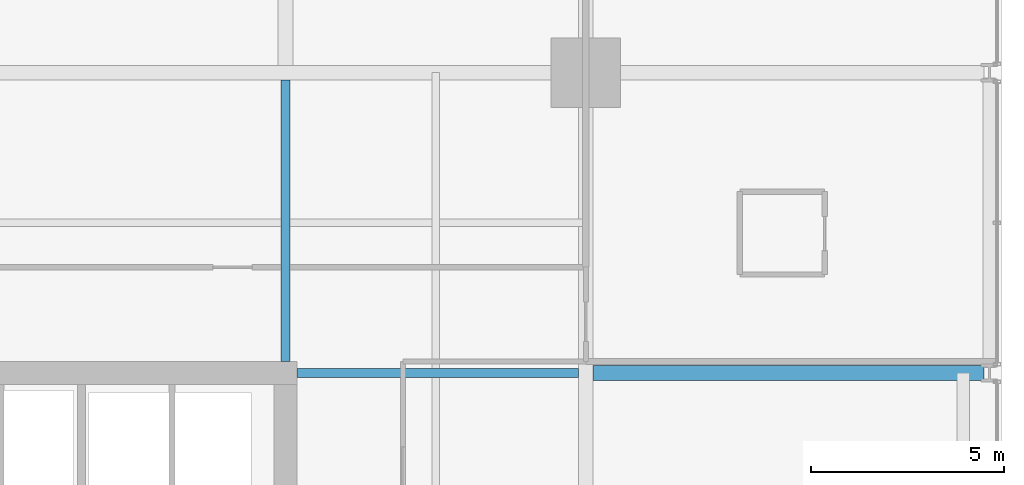
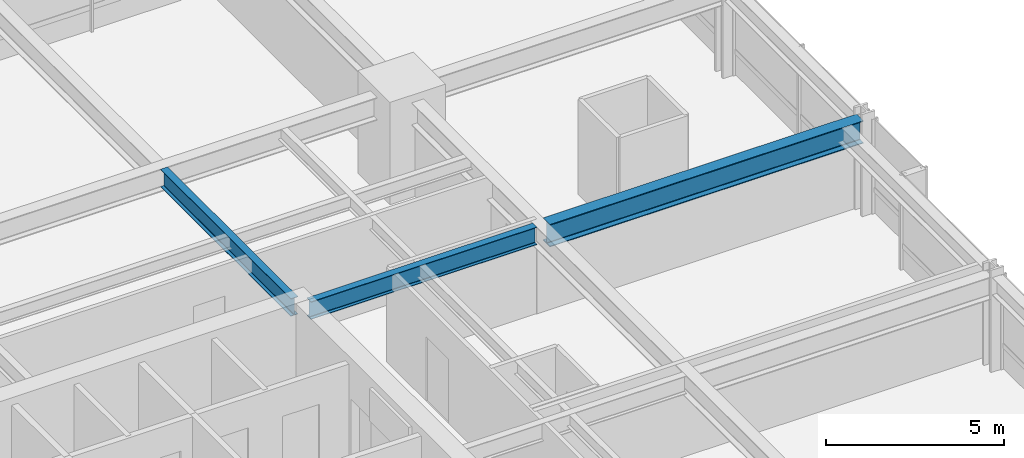
# One storey, part 24 of 37: 3 beams.
"""IFC4 building model written with IfcOpenShell, lengths in metres."""

from ifc_helpers import new_model, si_unit, direction, frame, origin, origin_2d, place, context, subcontext, project, spatial, i_section, extrude, material, material_profile, profile_set, type_object, element, save


model = new_model("IFC4")

# Units and contexts
model_context = context("Model", 3, precision=1e-05, world=origin(), true_north=direction((0.0, 1.0)))
body_context = subcontext(model_context, "Body", "Model", "MODEL_VIEW")
ifc_project = project(units=[si_unit("LENGTHUNIT", "METRE"), si_unit("AREAUNIT", "SQUARE_METRE"), si_unit("VOLUMEUNIT", "CUBIC_METRE"), si_unit("PLANEANGLEUNIT", "RADIAN"), si_unit("MASSUNIT", "GRAM", prefix="KILO")], contexts=[model_context])

# Site, building, storey
site_placement = place(None, origin())
site = spatial("IfcSite", under=ifc_project, at=site_placement, CompositionType="ELEMENT")
building_placement = place(site_placement, origin())
building = spatial("IfcBuilding", under=site, at=building_placement, Name="Drelvath Grand Hotel", CompositionType="ELEMENT")
storey_placement = place(building_placement, frame((0.0, 0.0, 75.199951171875)))
storey = spatial("IfcBuildingStorey", under=building, at=storey_placement, Name="L18", CompositionType="ELEMENT", Elevation=75.199951171875)

# Beams
ifc_material = material(Name="Steel ASTM A992 Gr 50", Category="steel")
ifc_material_profile_1 = material_profile(ifc_material, i_section(OverallWidth=0.228271484375, OverallDepth=0.607666015625, WebThickness=0.01123046875, FlangeThickness=0.017333984375, FilletRadius=0.02001953125, at=origin_2d()), Name="W24X76")
ifc_profile_set_1 = profile_set([ifc_material_profile_1], Name="Steel ASTM A992 Gr 50")
beam_type_1 = type_object("IfcBeamType", Name="Primary Floor Girder W24X76", PredefinedType="BEAM", material=ifc_profile_set_1)
for number, where, z_axis, x_axis, name in (
    (1, (8.699951171875, 35.39990234375, 2.936279296875), (1.0, 0.0, 0.0), (0.0, 1.0, 0.0), "L18 East Core Tie F"),
    (2, (8.39990234375, 35.699951171875, 2.936279296875), (0.0, 1.0, 0.0), (-1.0, 0.0, 0.0), "L18 North Core Tie 6"),
):
    element("IfcBeam", number, at=place(storey_placement, frame(where, z_axis=z_axis, x_axis=x_axis)), inside=storey, type_object=beam_type_1, Name=name, PredefinedType="BEAM", context=body_context, shape_type="SweptSolid", body=[
        extrude(i_section(OverallWidth=0.228271484375, OverallDepth=0.607666015625, WebThickness=0.01123046875, FlangeThickness=0.017333984375, FilletRadius=0.02001953125, at=origin_2d()), origin(), (0.0, 0.0, 1.0), 7.309814453125),
    ])
ifc_material_profile_2 = material_profile(ifc_material, i_section(OverallWidth=0.380615234375, OverallDepth=0.773193359375, WebThickness=0.0166015625, FlangeThickness=0.027099609375, FilletRadius=0.02490234375, at=origin_2d()), Name="W30X173")
ifc_profile_set_2 = profile_set([ifc_material_profile_2], Name="Steel ASTM A992 Gr 50")
beam_type_2 = type_object("IfcBeamType", Name="Primary Floor Girder W30X173", PredefinedType="BEAM", material=ifc_profile_set_2)
beam_placement = place(storey_placement, frame((16.390380859375, 35.39990234375, 2.853515625), z_axis=(1.0, 0.0, 0.0), x_axis=(0.0, 1.0, 0.0)))
element("IfcBeam", 3, at=beam_placement, inside=storey, type_object=beam_type_2, Name="L18 East Wing Girder F", PredefinedType="BEAM", context=body_context, shape_type="SweptSolid", body=[
    extrude(i_section(OverallWidth=0.380615234375, OverallDepth=0.773193359375, WebThickness=0.0166015625, FlangeThickness=0.027099609375, FilletRadius=0.02490234375, at=origin_2d()), origin(), (0.0, 0.0, 1.0), 10.149658203125),
])

save(model, "model.ifc")
